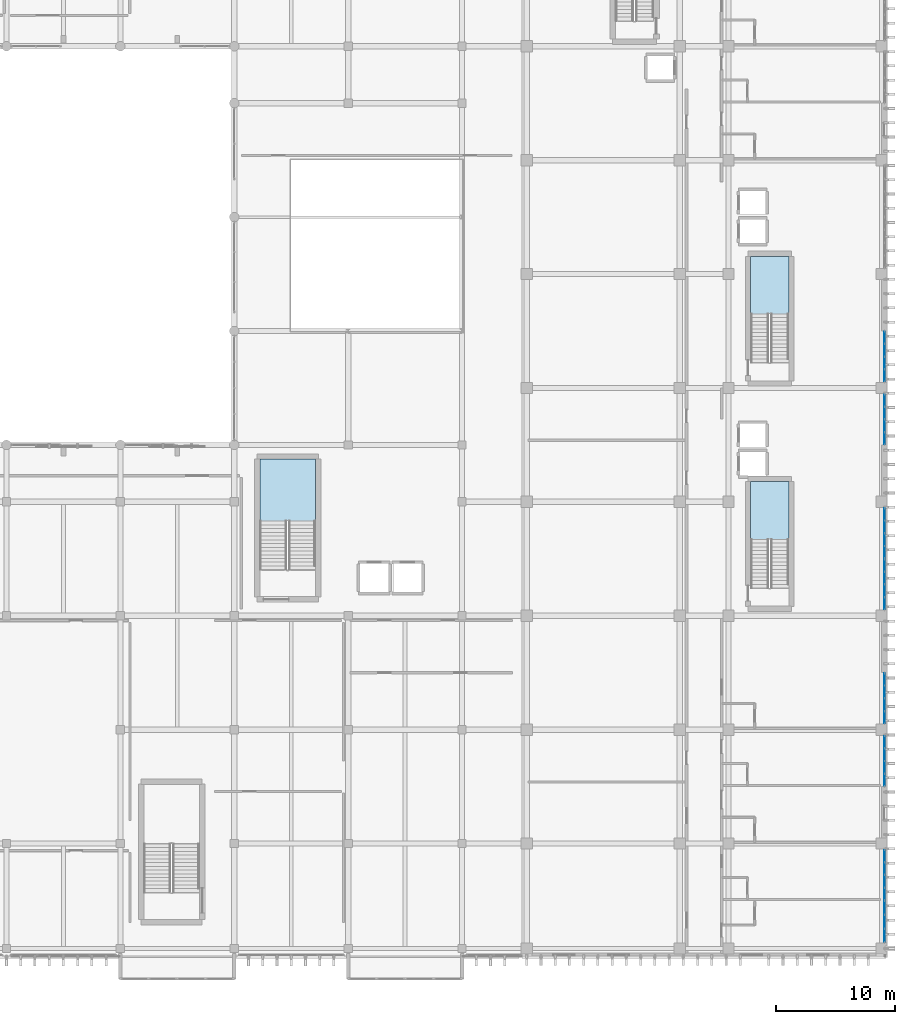
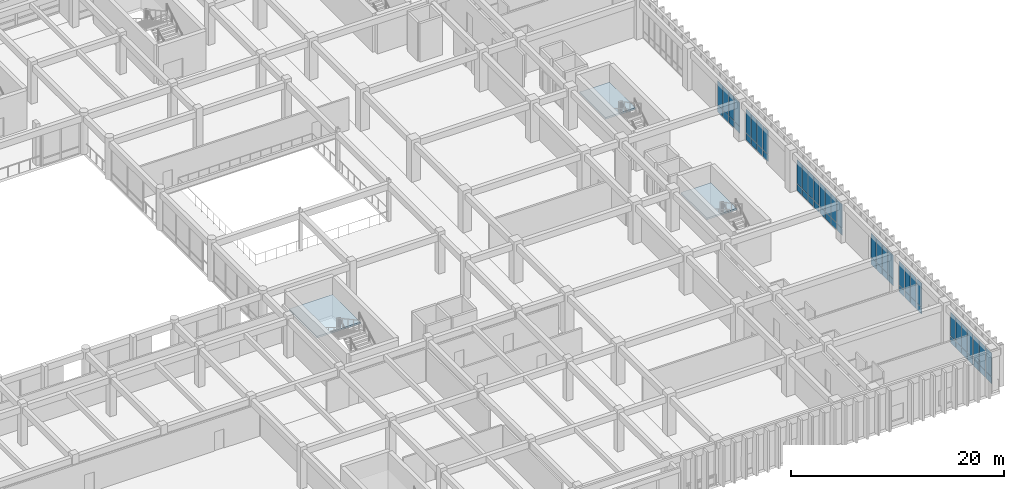
# One storey, part 93 of 133: 62 plates, 3 slabs, 11 elements without a shape of their own.
"""IFC4 building model written with IfcOpenShell, lengths in metres."""

from ifc_helpers import new_model, si_unit, direction, frame, origin, origin_2d, place, context, subcontext, project, spatial, polyline, rectangle, outline, extrude, material, layer, layer_set, type_object, element, aggregate, save


model = new_model("IFC4")

# Units and contexts
model_context = context("Model", 3, precision=1e-05, world=origin(), true_north=direction((0.0, 1.0)))
body_context = subcontext(model_context, "Body", "Model", "MODEL_VIEW")
ifc_project = project(units=[si_unit("LENGTHUNIT", "METRE"), si_unit("AREAUNIT", "SQUARE_METRE"), si_unit("VOLUMEUNIT", "CUBIC_METRE"), si_unit("PLANEANGLEUNIT", "RADIAN"), si_unit("MASSUNIT", "GRAM", prefix="KILO")], contexts=[model_context])

# Site, building, storey
site_placement = place(None, origin())
site = spatial("IfcSite", under=ifc_project, at=site_placement, CompositionType="ELEMENT")
building_placement = place(site_placement, origin())
building = spatial("IfcBuilding", under=site, at=building_placement, Name="Nakhvara Creek Congress Hotel", CompositionType="ELEMENT")
storey_placement = place(building_placement, frame((0.0, 0.0, 11.39990234375)))
storey = spatial("IfcBuildingStorey", under=building, at=storey_placement, Name="L02", CompositionType="ELEMENT", Elevation=11.39990234375)

# Curtain wall, plates
ifc_material_1 = material(Name="Bronze-anodised aluminium AW-6063-T6 and double-silver low-E glass", Category="aluminium")
ifc_layer_1 = layer(ifc_material_1, 0.199951171875)
ifc_layer_set_1 = layer_set([ifc_layer_1], Name="Bronze-anodised aluminium AW-6063-T6 and double-silver low-E glass")
curtain_wall_type = type_object("IfcCurtainWallType", Name="CW-HTL-UNIT", PredefinedType="USERDEFINED", material=ifc_layer_set_1)
curtain_wall_1_placement = place(storey_placement, origin())
curtain_wall_1 = element("IfcCurtainWall", 1, at=curtain_wall_1_placement, inside=storey, type_object=curtain_wall_type, Name="Curtain Wall CW128", ObjectType="UNITISED", PredefinedType="USERDEFINED")
ifc_material_2 = material(Name="Double-silver solar-control low-E insulated glass", Category="glass")
plate_type_1 = type_object("IfcPlateType", Name="PNL-GLZ-120X250", PredefinedType="CURTAIN_PANEL", material=ifc_material_2)
plate_1_placement = place(storey_placement, frame((179.60009765625, 4.1904296875, 0.065185546875), z_axis=(0.0, 0.0, 1.0), x_axis=(0.0, -1.0, 0.0)))
plate_1 = element("IfcPlate", 2, at=plate_1_placement, type_object=plate_type_1, Name="CW128 panel 1.1", PredefinedType="CURTAIN_PANEL", context=body_context, shape_type="SweptSolid", body=[
    extrude(rectangle(XDim=1.089111328125, YDim=0.028076171875, at=origin_2d()), origin(), (0.0, 0.0, 1.0), 0.75244140625),
])
plate_2_placement = place(storey_placement, frame((179.60009765625, 4.1904296875, 0.88232421875), z_axis=(0.0, 0.0, 1.0), x_axis=(0.0, -1.0, 0.0)))
plate_2 = element("IfcPlate", 3, at=plate_2_placement, type_object=plate_type_1, Name="CW128 panel 1.2", PredefinedType="CURTAIN_PANEL", context=body_context, shape_type="SweptSolid", body=[
    extrude(rectangle(XDim=1.089111328125, YDim=0.028076171875, at=origin_2d()), origin(), (0.0, 0.0, 1.0), 2.714599609375),
])
plate_3_placement = place(storey_placement, frame((179.60009765625, 3.02001953125, 0.065185546875), z_axis=(0.0, 0.0, 1.0), x_axis=(0.0, -1.0, 0.0)))
plate_3 = element("IfcPlate", 4, at=plate_3_placement, type_object=plate_type_1, Name="CW128 panel 2.1", PredefinedType="CURTAIN_PANEL", context=body_context, shape_type="SweptSolid", body=[
    extrude(rectangle(XDim=1.12158203125, YDim=0.028076171875, at=origin_2d()), origin(), (0.0, 0.0, 1.0), 0.75244140625),
])
plate_4_placement = place(storey_placement, frame((179.60009765625, 3.02001953125, 0.88232421875), z_axis=(0.0, 0.0, 1.0), x_axis=(0.0, -1.0, 0.0)))
plate_4 = element("IfcPlate", 5, at=plate_4_placement, type_object=plate_type_1, Name="CW128 panel 2.2", PredefinedType="CURTAIN_PANEL", context=body_context, shape_type="SweptSolid", body=[
    extrude(rectangle(XDim=1.12158203125, YDim=0.028076171875, at=origin_2d()), origin(), (0.0, 0.0, 1.0), 2.714599609375),
])
plate_5_placement = place(storey_placement, frame((179.60009765625, 1.849609375, 0.065185546875), z_axis=(0.0, 0.0, 1.0), x_axis=(0.0, -1.0, 0.0)))
plate_5 = element("IfcPlate", 6, at=plate_5_placement, type_object=plate_type_1, Name="CW128 panel 3.1", PredefinedType="CURTAIN_PANEL", context=body_context, shape_type="SweptSolid", body=[
    extrude(rectangle(XDim=1.089111328125, YDim=0.028076171875, at=origin_2d()), origin(), (0.0, 0.0, 1.0), 0.75244140625),
])
plate_6_placement = place(storey_placement, frame((179.60009765625, 1.849609375, 0.88232421875), z_axis=(0.0, 0.0, 1.0), x_axis=(0.0, -1.0, 0.0)))
plate_6 = element("IfcPlate", 7, at=plate_6_placement, type_object=plate_type_1, Name="CW128 panel 3.2", PredefinedType="CURTAIN_PANEL", context=body_context, shape_type="SweptSolid", body=[
    extrude(rectangle(XDim=1.089111328125, YDim=0.028076171875, at=origin_2d()), origin(), (0.0, 0.0, 1.0), 2.714599609375),
])
aggregate(curtain_wall_1, [plate_1, plate_2, plate_3, plate_4, plate_5, plate_6])

curtain_wall_2_placement = place(storey_placement, origin())
curtain_wall_2 = element("IfcCurtainWall", 8, at=curtain_wall_2_placement, inside=storey, type_object=curtain_wall_type, Name="Curtain Wall CW129", ObjectType="UNITISED", PredefinedType="USERDEFINED")
plate_7_placement = place(storey_placement, frame((179.60009765625, 8.554931640625, 0.065185546875), z_axis=(0.0, 0.0, 1.0), x_axis=(0.0, -1.0, 0.0)))
plate_7 = element("IfcPlate", 9, at=plate_7_placement, type_object=plate_type_1, Name="CW129 panel 1.1", PredefinedType="CURTAIN_PANEL", context=body_context, shape_type="SweptSolid", body=[
    extrude(rectangle(XDim=0.97998046875, YDim=0.028076171875, at=origin_2d()), origin(), (0.0, 0.0, 1.0), 0.75244140625),
])
plate_8_placement = place(storey_placement, frame((179.60009765625, 8.554931640625, 0.88232421875), z_axis=(0.0, 0.0, 1.0), x_axis=(0.0, -1.0, 0.0)))
plate_8 = element("IfcPlate", 10, at=plate_8_placement, type_object=plate_type_1, Name="CW129 panel 1.2", PredefinedType="CURTAIN_PANEL", context=body_context, shape_type="SweptSolid", body=[
    extrude(rectangle(XDim=0.97998046875, YDim=0.028076171875, at=origin_2d()), origin(), (0.0, 0.0, 1.0), 2.714599609375),
])
plate_9_placement = place(storey_placement, frame((179.60009765625, 7.49365234375, 0.065185546875), z_axis=(0.0, 0.0, 1.0), x_axis=(0.0, -1.0, 0.0)))
plate_9 = element("IfcPlate", 11, at=plate_9_placement, type_object=plate_type_1, Name="CW129 panel 2.1", PredefinedType="CURTAIN_PANEL", context=body_context, shape_type="SweptSolid", body=[
    extrude(rectangle(XDim=1.012451171875, YDim=0.028076171875, at=origin_2d()), origin(), (0.0, 0.0, 1.0), 0.75244140625),
])
plate_10_placement = place(storey_placement, frame((179.60009765625, 7.49365234375, 0.88232421875), z_axis=(0.0, 0.0, 1.0), x_axis=(0.0, -1.0, 0.0)))
plate_10 = element("IfcPlate", 12, at=plate_10_placement, type_object=plate_type_1, Name="CW129 panel 2.2", PredefinedType="CURTAIN_PANEL", context=body_context, shape_type="SweptSolid", body=[
    extrude(rectangle(XDim=1.012451171875, YDim=0.028076171875, at=origin_2d()), origin(), (0.0, 0.0, 1.0), 2.714599609375),
])
plate_11_placement = place(storey_placement, frame((179.60009765625, 6.416259765625, 0.065185546875), z_axis=(0.0, 0.0, 1.0), x_axis=(0.0, -1.0, 0.0)))
plate_11 = element("IfcPlate", 13, at=plate_11_placement, type_object=plate_type_1, Name="CW129 panel 3.1", PredefinedType="CURTAIN_PANEL", context=body_context, shape_type="SweptSolid", body=[
    extrude(rectangle(XDim=1.012451171875, YDim=0.028076171875, at=origin_2d()), origin(), (0.0, 0.0, 1.0), 0.75244140625),
])
plate_12_placement = place(storey_placement, frame((179.60009765625, 6.416259765625, 0.88232421875), z_axis=(0.0, 0.0, 1.0), x_axis=(0.0, -1.0, 0.0)))
plate_12 = element("IfcPlate", 14, at=plate_12_placement, type_object=plate_type_1, Name="CW129 panel 3.2", PredefinedType="CURTAIN_PANEL", context=body_context, shape_type="SweptSolid", body=[
    extrude(rectangle(XDim=1.012451171875, YDim=0.028076171875, at=origin_2d()), origin(), (0.0, 0.0, 1.0), 2.714599609375),
])
plate_13_placement = place(storey_placement, frame((179.60009765625, 5.35498046875, 0.065185546875), z_axis=(0.0, 0.0, 1.0), x_axis=(0.0, -1.0, 0.0)))
plate_13 = element("IfcPlate", 15, at=plate_13_placement, type_object=plate_type_1, Name="CW129 panel 4.1", PredefinedType="CURTAIN_PANEL", context=body_context, shape_type="SweptSolid", body=[
    extrude(rectangle(XDim=0.97998046875, YDim=0.028076171875, at=origin_2d()), origin(), (0.0, 0.0, 1.0), 0.75244140625),
])
plate_14_placement = place(storey_placement, frame((179.60009765625, 5.35498046875, 0.88232421875), z_axis=(0.0, 0.0, 1.0), x_axis=(0.0, -1.0, 0.0)))
plate_14 = element("IfcPlate", 16, at=plate_14_placement, type_object=plate_type_1, Name="CW129 panel 4.2", PredefinedType="CURTAIN_PANEL", context=body_context, shape_type="SweptSolid", body=[
    extrude(rectangle(XDim=0.97998046875, YDim=0.028076171875, at=origin_2d()), origin(), (0.0, 0.0, 1.0), 2.714599609375),
])
aggregate(curtain_wall_2, [plate_7, plate_8, plate_9, plate_10, plate_11, plate_12, plate_13, plate_14])

curtain_wall_3_placement = place(storey_placement, origin())
curtain_wall_3 = element("IfcCurtainWall", 17, at=curtain_wall_3_placement, inside=storey, type_object=curtain_wall_type, Name="Curtain Wall CW130", ObjectType="UNITISED", PredefinedType="USERDEFINED")
plate_15_placement = place(storey_placement, frame((179.60009765625, 18.155029296875, 0.065185546875), z_axis=(0.0, 0.0, 1.0), x_axis=(0.0, -1.0, 0.0)))
plate_15 = element("IfcPlate", 18, at=plate_15_placement, type_object=plate_type_1, Name="CW130 panel 1.1", PredefinedType="CURTAIN_PANEL", context=body_context, shape_type="SweptSolid", body=[
    extrude(rectangle(XDim=0.97998046875, YDim=0.028076171875, at=origin_2d()), origin(), (0.0, 0.0, 1.0), 0.75244140625),
])
plate_16_placement = place(storey_placement, frame((179.60009765625, 18.155029296875, 0.88232421875), z_axis=(0.0, 0.0, 1.0), x_axis=(0.0, -1.0, 0.0)))
plate_16 = element("IfcPlate", 19, at=plate_16_placement, type_object=plate_type_1, Name="CW130 panel 1.2", PredefinedType="CURTAIN_PANEL", context=body_context, shape_type="SweptSolid", body=[
    extrude(rectangle(XDim=0.97998046875, YDim=0.028076171875, at=origin_2d()), origin(), (0.0, 0.0, 1.0), 2.714599609375),
])
plate_17_placement = place(storey_placement, frame((179.60009765625, 17.09375, 0.065185546875), z_axis=(0.0, 0.0, 1.0), x_axis=(0.0, -1.0, 0.0)))
plate_17 = element("IfcPlate", 20, at=plate_17_placement, type_object=plate_type_1, Name="CW130 panel 2.1", PredefinedType="CURTAIN_PANEL", context=body_context, shape_type="SweptSolid", body=[
    extrude(rectangle(XDim=1.012451171875, YDim=0.028076171875, at=origin_2d()), origin(), (0.0, 0.0, 1.0), 0.75244140625),
])
plate_18_placement = place(storey_placement, frame((179.60009765625, 17.09375, 0.88232421875), z_axis=(0.0, 0.0, 1.0), x_axis=(0.0, -1.0, 0.0)))
plate_18 = element("IfcPlate", 21, at=plate_18_placement, type_object=plate_type_1, Name="CW130 panel 2.2", PredefinedType="CURTAIN_PANEL", context=body_context, shape_type="SweptSolid", body=[
    extrude(rectangle(XDim=1.012451171875, YDim=0.028076171875, at=origin_2d()), origin(), (0.0, 0.0, 1.0), 2.714599609375),
])
plate_19_placement = place(storey_placement, frame((179.60009765625, 16.016357421875, 0.065185546875), z_axis=(0.0, 0.0, 1.0), x_axis=(0.0, -1.0, 0.0)))
plate_19 = element("IfcPlate", 22, at=plate_19_placement, type_object=plate_type_1, Name="CW130 panel 3.1", PredefinedType="CURTAIN_PANEL", context=body_context, shape_type="SweptSolid", body=[
    extrude(rectangle(XDim=1.012451171875, YDim=0.028076171875, at=origin_2d()), origin(), (0.0, 0.0, 1.0), 0.75244140625),
])
plate_20_placement = place(storey_placement, frame((179.60009765625, 16.016357421875, 0.88232421875), z_axis=(0.0, 0.0, 1.0), x_axis=(0.0, -1.0, 0.0)))
plate_20 = element("IfcPlate", 23, at=plate_20_placement, type_object=plate_type_1, Name="CW130 panel 3.2", PredefinedType="CURTAIN_PANEL", context=body_context, shape_type="SweptSolid", body=[
    extrude(rectangle(XDim=1.012451171875, YDim=0.028076171875, at=origin_2d()), origin(), (0.0, 0.0, 1.0), 2.714599609375),
])
plate_21_placement = place(storey_placement, frame((179.60009765625, 14.955078125, 0.065185546875), z_axis=(0.0, 0.0, 1.0), x_axis=(0.0, -1.0, 0.0)))
plate_21 = element("IfcPlate", 24, at=plate_21_placement, type_object=plate_type_1, Name="CW130 panel 4.1", PredefinedType="CURTAIN_PANEL", context=body_context, shape_type="SweptSolid", body=[
    extrude(rectangle(XDim=0.97998046875, YDim=0.028076171875, at=origin_2d()), origin(), (0.0, 0.0, 1.0), 0.75244140625),
])
plate_22_placement = place(storey_placement, frame((179.60009765625, 14.955078125, 0.88232421875), z_axis=(0.0, 0.0, 1.0), x_axis=(0.0, -1.0, 0.0)))
plate_22 = element("IfcPlate", 25, at=plate_22_placement, type_object=plate_type_1, Name="CW130 panel 4.2", PredefinedType="CURTAIN_PANEL", context=body_context, shape_type="SweptSolid", body=[
    extrude(rectangle(XDim=0.97998046875, YDim=0.028076171875, at=origin_2d()), origin(), (0.0, 0.0, 1.0), 2.714599609375),
])
aggregate(curtain_wall_3, [plate_15, plate_16, plate_17, plate_18, plate_19, plate_20, plate_21, plate_22])

curtain_wall_4_placement = place(storey_placement, origin())
curtain_wall_4 = element("IfcCurtainWall", 26, at=curtain_wall_4_placement, inside=storey, type_object=curtain_wall_type, Name="Curtain Wall CW132", ObjectType="UNITISED", PredefinedType="USERDEFINED")
plate_23_placement = place(storey_placement, frame((179.60009765625, 33.044921875, 0.065185546875), z_axis=(0.0, 0.0, 1.0), x_axis=(0.0, -1.0, 0.0)))
plate_23 = element("IfcPlate", 27, at=plate_23_placement, type_object=plate_type_1, Name="CW132 panel 1.1", PredefinedType="CURTAIN_PANEL", context=body_context, shape_type="SweptSolid", body=[
    extrude(rectangle(XDim=0.97998046875, YDim=0.028076171875, at=origin_2d()), origin(), (0.0, 0.0, 1.0), 0.75244140625),
])
plate_24_placement = place(storey_placement, frame((179.60009765625, 33.044921875, 0.88232421875), z_axis=(0.0, 0.0, 1.0), x_axis=(0.0, -1.0, 0.0)))
plate_24 = element("IfcPlate", 28, at=plate_24_placement, type_object=plate_type_1, Name="CW132 panel 1.2", PredefinedType="CURTAIN_PANEL", context=body_context, shape_type="SweptSolid", body=[
    extrude(rectangle(XDim=0.97998046875, YDim=0.028076171875, at=origin_2d()), origin(), (0.0, 0.0, 1.0), 2.714599609375),
])
plate_25_placement = place(storey_placement, frame((179.60009765625, 31.983642578125, 0.065185546875), z_axis=(0.0, 0.0, 1.0), x_axis=(0.0, -1.0, 0.0)))
plate_25 = element("IfcPlate", 29, at=plate_25_placement, type_object=plate_type_1, Name="CW132 panel 2.1", PredefinedType="CURTAIN_PANEL", context=body_context, shape_type="SweptSolid", body=[
    extrude(rectangle(XDim=1.012451171875, YDim=0.028076171875, at=origin_2d()), origin(), (0.0, 0.0, 1.0), 0.75244140625),
])
plate_26_placement = place(storey_placement, frame((179.60009765625, 31.983642578125, 0.88232421875), z_axis=(0.0, 0.0, 1.0), x_axis=(0.0, -1.0, 0.0)))
plate_26 = element("IfcPlate", 30, at=plate_26_placement, type_object=plate_type_1, Name="CW132 panel 2.2", PredefinedType="CURTAIN_PANEL", context=body_context, shape_type="SweptSolid", body=[
    extrude(rectangle(XDim=1.012451171875, YDim=0.028076171875, at=origin_2d()), origin(), (0.0, 0.0, 1.0), 2.714599609375),
])
plate_27_placement = place(storey_placement, frame((179.60009765625, 30.90625, 0.065185546875), z_axis=(0.0, 0.0, 1.0), x_axis=(0.0, -1.0, 0.0)))
plate_27 = element("IfcPlate", 31, at=plate_27_placement, type_object=plate_type_1, Name="CW132 panel 3.1", PredefinedType="CURTAIN_PANEL", context=body_context, shape_type="SweptSolid", body=[
    extrude(rectangle(XDim=1.012451171875, YDim=0.028076171875, at=origin_2d()), origin(), (0.0, 0.0, 1.0), 0.75244140625),
])
plate_28_placement = place(storey_placement, frame((179.60009765625, 30.90625, 0.88232421875), z_axis=(0.0, 0.0, 1.0), x_axis=(0.0, -1.0, 0.0)))
plate_28 = element("IfcPlate", 32, at=plate_28_placement, type_object=plate_type_1, Name="CW132 panel 3.2", PredefinedType="CURTAIN_PANEL", context=body_context, shape_type="SweptSolid", body=[
    extrude(rectangle(XDim=1.012451171875, YDim=0.028076171875, at=origin_2d()), origin(), (0.0, 0.0, 1.0), 2.714599609375),
])
plate_29_placement = place(storey_placement, frame((179.60009765625, 29.844970703125, 0.065185546875), z_axis=(0.0, 0.0, 1.0), x_axis=(0.0, -1.0, 0.0)))
plate_29 = element("IfcPlate", 33, at=plate_29_placement, type_object=plate_type_1, Name="CW132 panel 4.1", PredefinedType="CURTAIN_PANEL", context=body_context, shape_type="SweptSolid", body=[
    extrude(rectangle(XDim=0.97998046875, YDim=0.028076171875, at=origin_2d()), origin(), (0.0, 0.0, 1.0), 0.75244140625),
])
plate_30_placement = place(storey_placement, frame((179.60009765625, 29.844970703125, 0.88232421875), z_axis=(0.0, 0.0, 1.0), x_axis=(0.0, -1.0, 0.0)))
plate_30 = element("IfcPlate", 34, at=plate_30_placement, type_object=plate_type_1, Name="CW132 panel 4.2", PredefinedType="CURTAIN_PANEL", context=body_context, shape_type="SweptSolid", body=[
    extrude(rectangle(XDim=0.97998046875, YDim=0.028076171875, at=origin_2d()), origin(), (0.0, 0.0, 1.0), 2.714599609375),
])
aggregate(curtain_wall_4, [plate_23, plate_24, plate_25, plate_26, plate_27, plate_28, plate_29, plate_30])

curtain_wall_5_placement = place(storey_placement, origin())
curtain_wall_5 = element("IfcCurtainWall", 35, at=curtain_wall_5_placement, inside=storey, type_object=curtain_wall_type, Name="Curtain Wall CW133", ObjectType="UNITISED", PredefinedType="USERDEFINED")
plate_31_placement = place(storey_placement, frame((179.60009765625, 37.35498046875, 0.065185546875), z_axis=(0.0, 0.0, 1.0), x_axis=(0.0, -1.0, 0.0)))
plate_31 = element("IfcPlate", 36, at=plate_31_placement, type_object=plate_type_1, Name="CW133 panel 1.1", PredefinedType="CURTAIN_PANEL", context=body_context, shape_type="SweptSolid", body=[
    extrude(rectangle(XDim=0.97998046875, YDim=0.028076171875, at=origin_2d()), origin(), (0.0, 0.0, 1.0), 0.75244140625),
])
plate_32_placement = place(storey_placement, frame((179.60009765625, 37.35498046875, 0.88232421875), z_axis=(0.0, 0.0, 1.0), x_axis=(0.0, -1.0, 0.0)))
plate_32 = element("IfcPlate", 37, at=plate_32_placement, type_object=plate_type_1, Name="CW133 panel 1.2", PredefinedType="CURTAIN_PANEL", context=body_context, shape_type="SweptSolid", body=[
    extrude(rectangle(XDim=0.97998046875, YDim=0.028076171875, at=origin_2d()), origin(), (0.0, 0.0, 1.0), 2.714599609375),
])
plate_33_placement = place(storey_placement, frame((179.60009765625, 36.293701171875, 0.065185546875), z_axis=(0.0, 0.0, 1.0), x_axis=(0.0, -1.0, 0.0)))
plate_33 = element("IfcPlate", 38, at=plate_33_placement, type_object=plate_type_1, Name="CW133 panel 2.1", PredefinedType="CURTAIN_PANEL", context=body_context, shape_type="SweptSolid", body=[
    extrude(rectangle(XDim=1.012451171875, YDim=0.028076171875, at=origin_2d()), origin(), (0.0, 0.0, 1.0), 0.75244140625),
])
plate_34_placement = place(storey_placement, frame((179.60009765625, 36.293701171875, 0.88232421875), z_axis=(0.0, 0.0, 1.0), x_axis=(0.0, -1.0, 0.0)))
plate_34 = element("IfcPlate", 39, at=plate_34_placement, type_object=plate_type_1, Name="CW133 panel 2.2", PredefinedType="CURTAIN_PANEL", context=body_context, shape_type="SweptSolid", body=[
    extrude(rectangle(XDim=1.012451171875, YDim=0.028076171875, at=origin_2d()), origin(), (0.0, 0.0, 1.0), 2.714599609375),
])
plate_35_placement = place(storey_placement, frame((179.60009765625, 35.21630859375, 0.065185546875), z_axis=(0.0, 0.0, 1.0), x_axis=(0.0, -1.0, 0.0)))
plate_35 = element("IfcPlate", 40, at=plate_35_placement, type_object=plate_type_1, Name="CW133 panel 3.1", PredefinedType="CURTAIN_PANEL", context=body_context, shape_type="SweptSolid", body=[
    extrude(rectangle(XDim=1.012451171875, YDim=0.028076171875, at=origin_2d()), origin(), (0.0, 0.0, 1.0), 0.75244140625),
])
plate_36_placement = place(storey_placement, frame((179.60009765625, 35.21630859375, 0.88232421875), z_axis=(0.0, 0.0, 1.0), x_axis=(0.0, -1.0, 0.0)))
plate_36 = element("IfcPlate", 41, at=plate_36_placement, type_object=plate_type_1, Name="CW133 panel 3.2", PredefinedType="CURTAIN_PANEL", context=body_context, shape_type="SweptSolid", body=[
    extrude(rectangle(XDim=1.012451171875, YDim=0.028076171875, at=origin_2d()), origin(), (0.0, 0.0, 1.0), 2.714599609375),
])
plate_37_placement = place(storey_placement, frame((179.60009765625, 34.155029296875, 0.065185546875), z_axis=(0.0, 0.0, 1.0), x_axis=(0.0, -1.0, 0.0)))
plate_37 = element("IfcPlate", 42, at=plate_37_placement, type_object=plate_type_1, Name="CW133 panel 4.1", PredefinedType="CURTAIN_PANEL", context=body_context, shape_type="SweptSolid", body=[
    extrude(rectangle(XDim=0.97998046875, YDim=0.028076171875, at=origin_2d()), origin(), (0.0, 0.0, 1.0), 0.75244140625),
])
plate_38_placement = place(storey_placement, frame((179.60009765625, 34.155029296875, 0.88232421875), z_axis=(0.0, 0.0, 1.0), x_axis=(0.0, -1.0, 0.0)))
plate_38 = element("IfcPlate", 43, at=plate_38_placement, type_object=plate_type_1, Name="CW133 panel 4.2", PredefinedType="CURTAIN_PANEL", context=body_context, shape_type="SweptSolid", body=[
    extrude(rectangle(XDim=0.97998046875, YDim=0.028076171875, at=origin_2d()), origin(), (0.0, 0.0, 1.0), 2.714599609375),
])
aggregate(curtain_wall_5, [plate_31, plate_32, plate_33, plate_34, plate_35, plate_36, plate_37, plate_38])

curtain_wall_6_placement = place(storey_placement, origin())
curtain_wall_6 = element("IfcCurtainWall", 44, at=curtain_wall_6_placement, inside=storey, type_object=curtain_wall_type, Name="Curtain Wall CW134", ObjectType="UNITISED", PredefinedType="USERDEFINED")
plate_39_placement = place(storey_placement, frame((179.60009765625, 46.955078125, 0.065185546875), z_axis=(0.0, 0.0, 1.0), x_axis=(0.0, -1.0, 0.0)))
plate_39 = element("IfcPlate", 45, at=plate_39_placement, type_object=plate_type_1, Name="CW134 panel 1.1", PredefinedType="CURTAIN_PANEL", context=body_context, shape_type="SweptSolid", body=[
    extrude(rectangle(XDim=0.97998046875, YDim=0.028076171875, at=origin_2d()), origin(), (0.0, 0.0, 1.0), 0.75244140625),
])
plate_40_placement = place(storey_placement, frame((179.60009765625, 46.955078125, 0.88232421875), z_axis=(0.0, 0.0, 1.0), x_axis=(0.0, -1.0, 0.0)))
plate_40 = element("IfcPlate", 46, at=plate_40_placement, type_object=plate_type_1, Name="CW134 panel 1.2", PredefinedType="CURTAIN_PANEL", context=body_context, shape_type="SweptSolid", body=[
    extrude(rectangle(XDim=0.97998046875, YDim=0.028076171875, at=origin_2d()), origin(), (0.0, 0.0, 1.0), 2.714599609375),
])
plate_41_placement = place(storey_placement, frame((179.60009765625, 45.893798828125, 0.065185546875), z_axis=(0.0, 0.0, 1.0), x_axis=(0.0, -1.0, 0.0)))
plate_41 = element("IfcPlate", 47, at=plate_41_placement, type_object=plate_type_1, Name="CW134 panel 2.1", PredefinedType="CURTAIN_PANEL", context=body_context, shape_type="SweptSolid", body=[
    extrude(rectangle(XDim=1.012451171875, YDim=0.028076171875, at=origin_2d()), origin(), (0.0, 0.0, 1.0), 0.75244140625),
])
plate_42_placement = place(storey_placement, frame((179.60009765625, 45.893798828125, 0.88232421875), z_axis=(0.0, 0.0, 1.0), x_axis=(0.0, -1.0, 0.0)))
plate_42 = element("IfcPlate", 48, at=plate_42_placement, type_object=plate_type_1, Name="CW134 panel 2.2", PredefinedType="CURTAIN_PANEL", context=body_context, shape_type="SweptSolid", body=[
    extrude(rectangle(XDim=1.012451171875, YDim=0.028076171875, at=origin_2d()), origin(), (0.0, 0.0, 1.0), 2.714599609375),
])
plate_43_placement = place(storey_placement, frame((179.60009765625, 44.816162109375, 0.065185546875), z_axis=(0.0, 0.0, 1.0), x_axis=(0.0, -1.0, 0.0)))
plate_43 = element("IfcPlate", 49, at=plate_43_placement, type_object=plate_type_1, Name="CW134 panel 3.1", PredefinedType="CURTAIN_PANEL", context=body_context, shape_type="SweptSolid", body=[
    extrude(rectangle(XDim=1.012451171875, YDim=0.028076171875, at=origin_2d()), origin(), (0.0, 0.0, 1.0), 0.75244140625),
])
plate_44_placement = place(storey_placement, frame((179.60009765625, 44.816162109375, 0.88232421875), z_axis=(0.0, 0.0, 1.0), x_axis=(0.0, -1.0, 0.0)))
plate_44 = element("IfcPlate", 50, at=plate_44_placement, type_object=plate_type_1, Name="CW134 panel 3.2", PredefinedType="CURTAIN_PANEL", context=body_context, shape_type="SweptSolid", body=[
    extrude(rectangle(XDim=1.012451171875, YDim=0.028076171875, at=origin_2d()), origin(), (0.0, 0.0, 1.0), 2.714599609375),
])
plate_45_placement = place(storey_placement, frame((179.60009765625, 43.7548828125, 0.065185546875), z_axis=(0.0, 0.0, 1.0), x_axis=(0.0, -1.0, 0.0)))
plate_45 = element("IfcPlate", 51, at=plate_45_placement, type_object=plate_type_1, Name="CW134 panel 4.1", PredefinedType="CURTAIN_PANEL", context=body_context, shape_type="SweptSolid", body=[
    extrude(rectangle(XDim=0.97998046875, YDim=0.028076171875, at=origin_2d()), origin(), (0.0, 0.0, 1.0), 0.75244140625),
])
plate_46_placement = place(storey_placement, frame((179.60009765625, 43.7548828125, 0.88232421875), z_axis=(0.0, 0.0, 1.0), x_axis=(0.0, -1.0, 0.0)))
plate_46 = element("IfcPlate", 52, at=plate_46_placement, type_object=plate_type_1, Name="CW134 panel 4.2", PredefinedType="CURTAIN_PANEL", context=body_context, shape_type="SweptSolid", body=[
    extrude(rectangle(XDim=0.97998046875, YDim=0.028076171875, at=origin_2d()), origin(), (0.0, 0.0, 1.0), 2.714599609375),
])
aggregate(curtain_wall_6, [plate_39, plate_40, plate_41, plate_42, plate_43, plate_44, plate_45, plate_46])

curtain_wall_7_placement = place(storey_placement, origin())
curtain_wall_7 = element("IfcCurtainWall", 53, at=curtain_wall_7_placement, inside=storey, type_object=curtain_wall_type, Name="Curtain Wall CW131", ObjectType="UNITISED", PredefinedType="USERDEFINED")
ifc_material_3 = material(Name="Back-insulated bronze spandrel glass panel", Category="glass")
plate_type_2 = type_object("IfcPlateType", Name="PNL-SPN-120X080", PredefinedType="CURTAIN_PANEL", material=ifc_material_3)
plate_47_placement = place(storey_placement, frame((179.60009765625, 23.445068359375, 0.065185546875), z_axis=(0.0, 0.0, 1.0), x_axis=(0.0, -1.0, 0.0)))
plate_47 = element("IfcPlate", 54, at=plate_47_placement, type_object=plate_type_2, Name="CW131 panel 1.1", PredefinedType="CURTAIN_PANEL", context=body_context, shape_type="SweptSolid", body=[
    extrude(rectangle(XDim=0.97998046875, YDim=0.0419921875, at=origin_2d()), origin(), (0.0, 0.0, 1.0), 0.75244140625),
])
plate_48_placement = place(storey_placement, frame((179.60009765625, 23.445068359375, 0.88232421875), z_axis=(0.0, 0.0, 1.0), x_axis=(0.0, -1.0, 0.0)))
plate_48 = element("IfcPlate", 55, at=plate_48_placement, type_object=plate_type_2, Name="CW131 panel 1.2", PredefinedType="CURTAIN_PANEL", context=body_context, shape_type="SweptSolid", body=[
    extrude(rectangle(XDim=0.97998046875, YDim=0.0419921875, at=origin_2d()), origin(), (0.0, 0.0, 1.0), 2.714599609375),
])
plate_49_placement = place(storey_placement, frame((179.60009765625, 22.3837890625, 0.065185546875), z_axis=(0.0, 0.0, 1.0), x_axis=(0.0, -1.0, 0.0)))
plate_49 = element("IfcPlate", 56, at=plate_49_placement, type_object=plate_type_2, Name="CW131 panel 2.1", PredefinedType="CURTAIN_PANEL", context=body_context, shape_type="SweptSolid", body=[
    extrude(rectangle(XDim=1.012451171875, YDim=0.0419921875, at=origin_2d()), origin(), (0.0, 0.0, 1.0), 0.75244140625),
])
plate_50_placement = place(storey_placement, frame((179.60009765625, 22.3837890625, 0.88232421875), z_axis=(0.0, 0.0, 1.0), x_axis=(0.0, -1.0, 0.0)))
plate_50 = element("IfcPlate", 57, at=plate_50_placement, type_object=plate_type_2, Name="CW131 panel 2.2", PredefinedType="CURTAIN_PANEL", context=body_context, shape_type="SweptSolid", body=[
    extrude(rectangle(XDim=1.012451171875, YDim=0.0419921875, at=origin_2d()), origin(), (0.0, 0.0, 1.0), 2.714599609375),
])
plate_51_placement = place(storey_placement, frame((179.60009765625, 21.30615234375, 0.065185546875), z_axis=(0.0, 0.0, 1.0), x_axis=(0.0, -1.0, 0.0)))
plate_51 = element("IfcPlate", 58, at=plate_51_placement, type_object=plate_type_2, Name="CW131 panel 3.1", PredefinedType="CURTAIN_PANEL", context=body_context, shape_type="SweptSolid", body=[
    extrude(rectangle(XDim=1.012451171875, YDim=0.0419921875, at=origin_2d()), origin(), (0.0, 0.0, 1.0), 0.75244140625),
])
plate_52_placement = place(storey_placement, frame((179.60009765625, 21.30615234375, 0.88232421875), z_axis=(0.0, 0.0, 1.0), x_axis=(0.0, -1.0, 0.0)))
plate_52 = element("IfcPlate", 59, at=plate_52_placement, type_object=plate_type_2, Name="CW131 panel 3.2", PredefinedType="CURTAIN_PANEL", context=body_context, shape_type="SweptSolid", body=[
    extrude(rectangle(XDim=1.012451171875, YDim=0.0419921875, at=origin_2d()), origin(), (0.0, 0.0, 1.0), 2.714599609375),
])
plate_53_placement = place(storey_placement, frame((179.60009765625, 20.2451171875, 0.065185546875), z_axis=(0.0, 0.0, 1.0), x_axis=(0.0, -1.0, 0.0)))
plate_53 = element("IfcPlate", 60, at=plate_53_placement, type_object=plate_type_2, Name="CW131 panel 4.1", PredefinedType="CURTAIN_PANEL", context=body_context, shape_type="SweptSolid", body=[
    extrude(rectangle(XDim=0.97998046875, YDim=0.0419921875, at=origin_2d()), origin(), (0.0, 0.0, 1.0), 0.75244140625),
])
plate_54_placement = place(storey_placement, frame((179.60009765625, 20.2451171875, 0.88232421875), z_axis=(0.0, 0.0, 1.0), x_axis=(0.0, -1.0, 0.0)))
plate_54 = element("IfcPlate", 61, at=plate_54_placement, type_object=plate_type_2, Name="CW131 panel 4.2", PredefinedType="CURTAIN_PANEL", context=body_context, shape_type="SweptSolid", body=[
    extrude(rectangle(XDim=0.97998046875, YDim=0.0419921875, at=origin_2d()), origin(), (0.0, 0.0, 1.0), 2.714599609375),
])
aggregate(curtain_wall_7, [plate_47, plate_48, plate_49, plate_50, plate_51, plate_52, plate_53, plate_54])

curtain_wall_8_placement = place(storey_placement, origin())
curtain_wall_8 = element("IfcCurtainWall", 62, at=curtain_wall_8_placement, inside=storey, type_object=curtain_wall_type, Name="Curtain Wall CW135", ObjectType="UNITISED", PredefinedType="USERDEFINED")
plate_55_placement = place(storey_placement, frame((179.60009765625, 52.2451171875, 0.065185546875), z_axis=(0.0, 0.0, 1.0), x_axis=(0.0, -1.0, 0.0)))
plate_55 = element("IfcPlate", 63, at=plate_55_placement, type_object=plate_type_2, Name="CW135 panel 1.1", PredefinedType="CURTAIN_PANEL", context=body_context, shape_type="SweptSolid", body=[
    extrude(rectangle(XDim=0.97998046875, YDim=0.0419921875, at=origin_2d()), origin(), (0.0, 0.0, 1.0), 0.75244140625),
])
plate_56_placement = place(storey_placement, frame((179.60009765625, 52.2451171875, 0.88232421875), z_axis=(0.0, 0.0, 1.0), x_axis=(0.0, -1.0, 0.0)))
plate_56 = element("IfcPlate", 64, at=plate_56_placement, type_object=plate_type_2, Name="CW135 panel 1.2", PredefinedType="CURTAIN_PANEL", context=body_context, shape_type="SweptSolid", body=[
    extrude(rectangle(XDim=0.97998046875, YDim=0.0419921875, at=origin_2d()), origin(), (0.0, 0.0, 1.0), 2.714599609375),
])
plate_57_placement = place(storey_placement, frame((179.60009765625, 51.183837890625, 0.065185546875), z_axis=(0.0, 0.0, 1.0), x_axis=(0.0, -1.0, 0.0)))
plate_57 = element("IfcPlate", 65, at=plate_57_placement, type_object=plate_type_2, Name="CW135 panel 2.1", PredefinedType="CURTAIN_PANEL", context=body_context, shape_type="SweptSolid", body=[
    extrude(rectangle(XDim=1.012451171875, YDim=0.0419921875, at=origin_2d()), origin(), (0.0, 0.0, 1.0), 0.75244140625),
])
plate_58_placement = place(storey_placement, frame((179.60009765625, 51.183837890625, 0.88232421875), z_axis=(0.0, 0.0, 1.0), x_axis=(0.0, -1.0, 0.0)))
plate_58 = element("IfcPlate", 66, at=plate_58_placement, type_object=plate_type_2, Name="CW135 panel 2.2", PredefinedType="CURTAIN_PANEL", context=body_context, shape_type="SweptSolid", body=[
    extrude(rectangle(XDim=1.012451171875, YDim=0.0419921875, at=origin_2d()), origin(), (0.0, 0.0, 1.0), 2.714599609375),
])
plate_59_placement = place(storey_placement, frame((179.60009765625, 50.106201171875, 0.065185546875), z_axis=(0.0, 0.0, 1.0), x_axis=(0.0, -1.0, 0.0)))
plate_59 = element("IfcPlate", 67, at=plate_59_placement, type_object=plate_type_2, Name="CW135 panel 3.1", PredefinedType="CURTAIN_PANEL", context=body_context, shape_type="SweptSolid", body=[
    extrude(rectangle(XDim=1.012451171875, YDim=0.0419921875, at=origin_2d()), origin(), (0.0, 0.0, 1.0), 0.75244140625),
])
plate_60_placement = place(storey_placement, frame((179.60009765625, 50.106201171875, 0.88232421875), z_axis=(0.0, 0.0, 1.0), x_axis=(0.0, -1.0, 0.0)))
plate_60 = element("IfcPlate", 68, at=plate_60_placement, type_object=plate_type_2, Name="CW135 panel 3.2", PredefinedType="CURTAIN_PANEL", context=body_context, shape_type="SweptSolid", body=[
    extrude(rectangle(XDim=1.012451171875, YDim=0.0419921875, at=origin_2d()), origin(), (0.0, 0.0, 1.0), 2.714599609375),
])
plate_61_placement = place(storey_placement, frame((179.60009765625, 49.044921875, 0.065185546875), z_axis=(0.0, 0.0, 1.0), x_axis=(0.0, -1.0, 0.0)))
plate_61 = element("IfcPlate", 69, at=plate_61_placement, type_object=plate_type_2, Name="CW135 panel 4.1", PredefinedType="CURTAIN_PANEL", context=body_context, shape_type="SweptSolid", body=[
    extrude(rectangle(XDim=0.97998046875, YDim=0.0419921875, at=origin_2d()), origin(), (0.0, 0.0, 1.0), 0.75244140625),
])
plate_62_placement = place(storey_placement, frame((179.60009765625, 49.044921875, 0.88232421875), z_axis=(0.0, 0.0, 1.0), x_axis=(0.0, -1.0, 0.0)))
plate_62 = element("IfcPlate", 70, at=plate_62_placement, type_object=plate_type_2, Name="CW135 panel 4.2", PredefinedType="CURTAIN_PANEL", context=body_context, shape_type="SweptSolid", body=[
    extrude(rectangle(XDim=0.97998046875, YDim=0.0419921875, at=origin_2d()), origin(), (0.0, 0.0, 1.0), 2.714599609375),
])
aggregate(curtain_wall_8, [plate_55, plate_56, plate_57, plate_58, plate_59, plate_60, plate_61, plate_62])

# Stair, slab
ifc_material_4 = material(Name="Concrete C40/50", Category="concrete")
stair_type_1 = type_object("IfcStairType", Name="ST-CORE-160", PredefinedType="HALF_TURN_STAIR", material=ifc_material_4)
stair_1_placement = place(storey_placement, origin())
stair_1 = element("IfcStair", 71, at=stair_1_placement, inside=storey, type_object=stair_type_1, Name="L02 Protected Exit Stair ST03", PredefinedType="HALF_TURN_STAIR")
ifc_layer_2 = layer(ifc_material_4, 0.199951171875)
ifc_layer_set_2 = layer_set([ifc_layer_2], Name="Concrete C40/50")
slab_type = type_object("IfcSlabType", Name="SL-LAND-200", PredefinedType="LANDING", material=ifc_layer_set_2)
slab_1_placement = place(storey_placement, frame((0.0, 0.0, 2.2001953125)))
slab_1 = element("IfcSlab", 72, at=slab_1_placement, type_object=slab_type, Name="ST03 landing 1", PredefinedType="LANDING", context=body_context, shape_type="SweptSolid", body=[
    extrude(outline(polyline([(171.550048828125, 35.235107421875), (171.550048828125, 40.10009765625), (168.320068359375, 40.10009765625), (168.320068359375, 35.235107421875), (171.550048828125, 35.235107421875)])), origin(), (0.0, 0.0, 1.0), 0.199951171875),
])
aggregate(stair_1, [slab_1])

stair_2_placement = place(storey_placement, origin())
stair_2 = element("IfcStair", 73, at=stair_2_placement, inside=storey, type_object=stair_type_1, Name="L02 Protected Exit Stair ST04", PredefinedType="HALF_TURN_STAIR")
slab_2_placement = place(storey_placement, frame((0.0, 0.0, 2.2001953125)))
slab_2 = element("IfcSlab", 74, at=slab_2_placement, type_object=slab_type, Name="ST04 landing 1", PredefinedType="LANDING", context=body_context, shape_type="SweptSolid", body=[
    extrude(outline(polyline([(171.550048828125, 54.235107421875), (171.550048828125, 59.10009765625), (168.320068359375, 59.10009765625), (168.320068359375, 54.235107421875), (171.550048828125, 54.235107421875)])), origin(), (0.0, 0.0, 1.0), 0.199951171875),
])
aggregate(stair_2, [slab_2])

stair_type_2 = type_object("IfcStairType", Name="ST-CORE-230", PredefinedType="HALF_TURN_STAIR", material=ifc_material_4)
stair_3_placement = place(storey_placement, origin())
stair_3 = element("IfcStair", 75, at=stair_3_placement, inside=storey, type_object=stair_type_2, Name="L02 Protected Exit Stair ST06", PredefinedType="HALF_TURN_STAIR")
slab_3_placement = place(storey_placement, frame((0.0, 0.0, 2.2001953125)))
slab_3 = element("IfcSlab", 76, at=slab_3_placement, type_object=slab_type, Name="ST06 landing 1", PredefinedType="LANDING", context=body_context, shape_type="SweptSolid", body=[
    extrude(outline(polyline([(131.659912109375, 36.77490234375), (131.659912109375, 42.0), (126.949951171875, 42.0), (126.949951171875, 36.77490234375), (131.659912109375, 36.77490234375)])), origin(), (0.0, 0.0, 1.0), 0.199951171875),
])
aggregate(stair_3, [slab_3])

save(model, "model.ifc")
